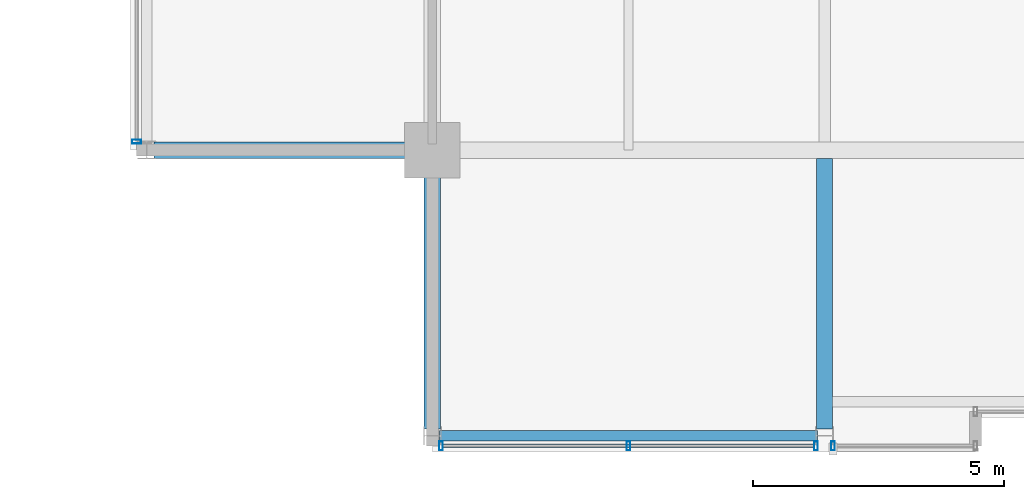
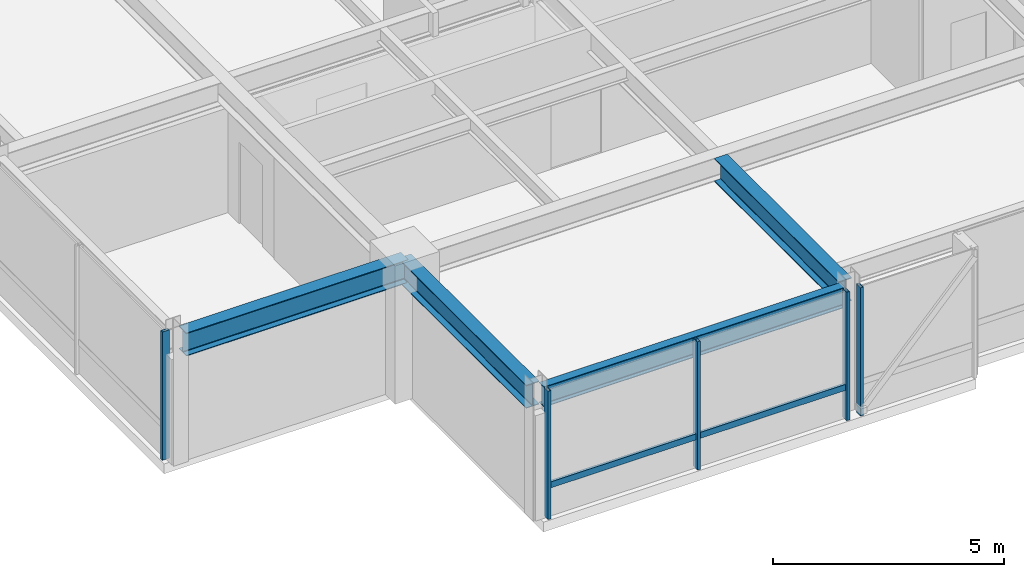
# One storey, part 4 of 33: 6 members, 4 beams, 3 elements without a shape of their own.
"""IFC4 building model written with IfcOpenShell, lengths in metres."""

from ifc_helpers import new_model, si_unit, direction, frame, origin, origin_2d, place, context, subcontext, project, spatial, hollow_rectangle, i_section, extrude, material, layer, layer_set, material_profile, profile_set, type_object, element, aggregate, save


model = new_model("IFC4")

# Units and contexts
model_context = context("Model", 3, precision=1e-05, world=origin(), true_north=direction((0.0, 1.0)))
body_context = subcontext(model_context, "Body", "Model", "MODEL_VIEW")
ifc_project = project(units=[si_unit("LENGTHUNIT", "METRE"), si_unit("AREAUNIT", "SQUARE_METRE"), si_unit("VOLUMEUNIT", "CUBIC_METRE"), si_unit("PLANEANGLEUNIT", "RADIAN"), si_unit("MASSUNIT", "GRAM", prefix="KILO")], contexts=[model_context])

# Site, building, storey
site_placement = place(None, origin())
site = spatial("IfcSite", under=ifc_project, at=site_placement, CompositionType="ELEMENT")
building_placement = place(site_placement, origin())
building = spatial("IfcBuilding", under=site, at=building_placement, Name="Drelvath Grand Hotel", CompositionType="ELEMENT")
storey_placement = place(building_placement, frame((0.0, 0.0, 283.25)))
storey = spatial("IfcBuildingStorey", under=building, at=storey_placement, Name="L74", CompositionType="ELEMENT", Elevation=283.25)

# Curtain wall, member
ifc_material_1 = material(Name="Platinum-Mist Anodised Aluminium Frame", Category="aluminium")
ifc_layer = layer(ifc_material_1, 0.199951171875)
ifc_layer_set = layer_set([ifc_layer], Name="Platinum-Mist Anodised Aluminium Frame")
curtain_wall_type = type_object("IfcCurtainWallType", Name="Stick Curtain Wall CW-05 Platinum Mist High-Rise", PredefinedType="NOTDEFINED", material=ifc_layer_set)
curtain_wall_1_placement = place(storey_placement, origin())
curtain_wall_1 = element("IfcCurtainWall", 1, at=curtain_wall_1_placement, inside=storey, type_object=curtain_wall_type, Name="L74 CW-05 Curtain Wall CW05-L74-SW1", PredefinedType="NOTDEFINED")
ifc_material_profile_1 = material_profile(ifc_material_1, hollow_rectangle(XDim=0.06494140625, YDim=0.159912109375, WallThickness=0.00390625, at=origin_2d()), Name="HSS160X65X4")
ifc_profile_set_1 = profile_set([ifc_material_profile_1], Name="Platinum-Mist Anodised Aluminium Frame")
member_type_1 = type_object("IfcMemberType", Name="Curtain Wall Horizontal Transom CW-05 HSS160X65X4", PredefinedType="USERDEFINED", material=ifc_profile_set_1)
member_1_placement = place(storey_placement, frame((-8.610107421875, 4.919921875, 0.847412109375), z_axis=(-1.0, 0.0, 0.0), x_axis=(0.0, -1.0, 0.0)))
member_1 = element("IfcMember", 2, at=member_1_placement, type_object=member_type_1, Name="CW05-L74-SW1 Sill Transom", ObjectType="TRANSOM", PredefinedType="USERDEFINED", context=body_context, shape_type="SweptSolid", body=[
    extrude(hollow_rectangle(XDim=0.06494140625, YDim=0.159912109375, WallThickness=0.00390625, at=origin_2d()), origin(), (0.0, 0.0, 1.0), 7.3798828125),
])

curtain_wall_2_placement = place(storey_placement, origin())
curtain_wall_2 = element("IfcCurtainWall", 3, at=curtain_wall_2_placement, inside=storey, type_object=curtain_wall_type, Name="L74 CW-05 Curtain Wall CW05-L74-WS1", PredefinedType="NOTDEFINED")
ifc_material_profile_2 = material_profile(ifc_material_1, hollow_rectangle(XDim=0.074951171875, YDim=0.179931640625, WallThickness=0.0048828125, at=origin_2d()), Name="HSS180X75X5")
ifc_profile_set_2 = profile_set([ifc_material_profile_2], Name="Platinum-Mist Anodised Aluminium Frame")
member_type_2 = type_object("IfcMemberType", Name="Curtain Wall Vertical Mullion CW-05 HSS180X75X5", PredefinedType="MULLION", material=ifc_profile_set_2)
member_2_placement = place(storey_placement, frame((-22.080078125, 10.97021484375, 0.0), z_axis=(0.0, 0.0, 1.0), x_axis=(0.0, 1.0, 0.0)))
member_2 = element("IfcMember", 4, at=member_2_placement, type_object=member_type_2, Name="CW05-L74-WS1 Mullion 1", PredefinedType="MULLION", context=body_context, shape_type="SweptSolid", body=[
    extrude(hollow_rectangle(XDim=0.074951171875, YDim=0.179931640625, WallThickness=0.0048828125, at=origin_2d()), origin(), (0.0, 0.0, 1.0), 3.389892578125),
])
aggregate(curtain_wall_2, [member_2])

# Member
member_3_placement = place(storey_placement, frame((-8.570068359375, 4.919921875, 0.0), z_axis=(0.0, 0.0, 1.0), x_axis=(1.0, 0.0, 0.0)))
member_3 = element("IfcMember", 5, at=member_3_placement, type_object=member_type_2, Name="CW05-L74-SW1 Mullion 1", PredefinedType="MULLION", context=body_context, shape_type="SweptSolid", body=[
    extrude(hollow_rectangle(XDim=0.074951171875, YDim=0.179931640625, WallThickness=0.0048828125, at=origin_2d()), origin(), (0.0, 0.0, 1.0), 3.389892578125),
])

member_4_placement = place(storey_placement, frame((-12.300048828125, 4.919921875, 0.0), z_axis=(0.0, 0.0, 1.0), x_axis=(1.0, 0.0, 0.0)))
member_4 = element("IfcMember", 6, at=member_4_placement, type_object=member_type_2, Name="CW05-L74-SW1 Mullion 2", PredefinedType="MULLION", context=body_context, shape_type="SweptSolid", body=[
    extrude(hollow_rectangle(XDim=0.074951171875, YDim=0.179931640625, WallThickness=0.0048828125, at=origin_2d()), origin(), (0.0, 0.0, 1.0), 3.389892578125),
])

member_5_placement = place(storey_placement, frame((-16.02978515625, 4.919921875, 0.0), z_axis=(0.0, 0.0, 1.0), x_axis=(1.0, 0.0, 0.0)))
member_5 = element("IfcMember", 7, at=member_5_placement, type_object=member_type_2, Name="CW05-L74-SW1 Mullion 3", PredefinedType="MULLION", context=body_context, shape_type="SweptSolid", body=[
    extrude(hollow_rectangle(XDim=0.074951171875, YDim=0.179931640625, WallThickness=0.0048828125, at=origin_2d()), origin(), (0.0, 0.0, 1.0), 3.389892578125),
])

aggregate(curtain_wall_1, [member_3, member_4, member_5, member_1])

# Curtain wall, member
curtain_wall_3_placement = place(storey_placement, origin())
curtain_wall_3 = element("IfcCurtainWall", 8, at=curtain_wall_3_placement, inside=storey, type_object=curtain_wall_type, Name="L74 CW-05 Curtain Wall CW05-L74-SW2", PredefinedType="NOTDEFINED")
member_6_placement = place(storey_placement, frame((-8.22998046875, 4.919921875, 0.0), z_axis=(0.0, 0.0, 1.0), x_axis=(1.0, 0.0, 0.0)))
member_6 = element("IfcMember", 9, at=member_6_placement, type_object=member_type_2, Name="CW05-L74-SW2 Mullion 2", PredefinedType="MULLION", context=body_context, shape_type="SweptSolid", body=[
    extrude(hollow_rectangle(XDim=0.074951171875, YDim=0.179931640625, WallThickness=0.0048828125, at=origin_2d()), origin(), (0.0, 0.0, 1.0), 3.389892578125),
])
aggregate(curtain_wall_3, [member_6])

# Beams
ifc_material_2 = material(Name="Steel ASTM A992 Gr 50", Category="steel")
ifc_material_profile_3 = material_profile(ifc_material_2, i_section(OverallWidth=0.210205078125, OverallDepth=0.53662109375, WebThickness=0.010986328125, FlangeThickness=0.017333984375, FilletRadius=0.01806640625, at=origin_2d()), Name="W21X68")
ifc_profile_set_3 = profile_set([ifc_material_profile_3], Name="Steel ASTM A992 Gr 50")
beam_type_1 = type_object("IfcBeamType", Name="Perimeter Spandrel Beam W21X68", PredefinedType="SPANDREL", material=ifc_profile_set_3)
beam_1_placement = place(storey_placement, frame((-16.06005859375, 5.1201171875, 3.12158203125), z_axis=(1.0, 0.0, 0.0), x_axis=(0.0, 1.0, 0.0)))
element("IfcBeam", 10, at=beam_1_placement, inside=storey, type_object=beam_type_1, Name="L74 Spandrel South W", PredefinedType="SPANDREL", context=body_context, shape_type="SweptSolid", body=[
    extrude(i_section(OverallWidth=0.210205078125, OverallDepth=0.53662109375, WebThickness=0.010986328125, FlangeThickness=0.017333984375, FilletRadius=0.01806640625, at=origin_2d()), origin(), (0.0, 0.0, 1.0), 7.52001953125),
])
ifc_material_profile_4 = material_profile(ifc_material_2, i_section(OverallWidth=0.323974609375, OverallDepth=0.611083984375, WebThickness=0.0126953125, FlangeThickness=0.01904296875, FilletRadius=0.02197265625, at=origin_2d()), Name="W24X104")
ifc_profile_set_4 = profile_set([ifc_material_profile_4], Name="Steel ASTM A992 Gr 50")
beam_type_2 = type_object("IfcBeamType", Name="Primary Floor Girder W24X104", PredefinedType="BEAM", material=ifc_profile_set_4)
for number, where, z_axis, x_axis, name in (
    (11, (-21.739990234375, 10.800048828125, 3.08447265625), (1.0, 0.0, 0.0), (0.0, 1.0, 0.0), "L74 West Grid Girder C"),
    (12, (-16.199951171875, 5.260009765625, 3.08447265625), (0.0, 1.0, 0.0), (-1.0, 0.0, 0.0), "L74 South Grid Girder 3"),
):
    element("IfcBeam", number, at=place(storey_placement, frame(where, z_axis=z_axis, x_axis=x_axis)), inside=storey, type_object=beam_type_2, Name=name, PredefinedType="BEAM", context=body_context, shape_type="SweptSolid", body=[
        extrude(i_section(OverallWidth=0.323974609375, OverallDepth=0.611083984375, WebThickness=0.0126953125, FlangeThickness=0.01904296875, FilletRadius=0.02197265625, at=origin_2d()), origin(), (0.0, 0.0, 1.0), 5.5400390625),
    ])
beam_2_placement = place(storey_placement, frame((-8.39990234375, 5.260009765625, 3.08447265625), z_axis=(0.0, 1.0, 0.0), x_axis=(-1.0, 0.0, 0.0)))
element("IfcBeam", 13, at=beam_2_placement, inside=storey, type_object=beam_type_2, Name="L74 South Wing Girder 4", PredefinedType="BEAM", context=body_context, shape_type="SweptSolid", body=[
    extrude(i_section(OverallWidth=0.323974609375, OverallDepth=0.611083984375, WebThickness=0.0126953125, FlangeThickness=0.01904296875, FilletRadius=0.02197265625, at=origin_2d()), origin(), (0.0, 0.0, 1.0), 5.3779296875),
])

save(model, "model.ifc")
